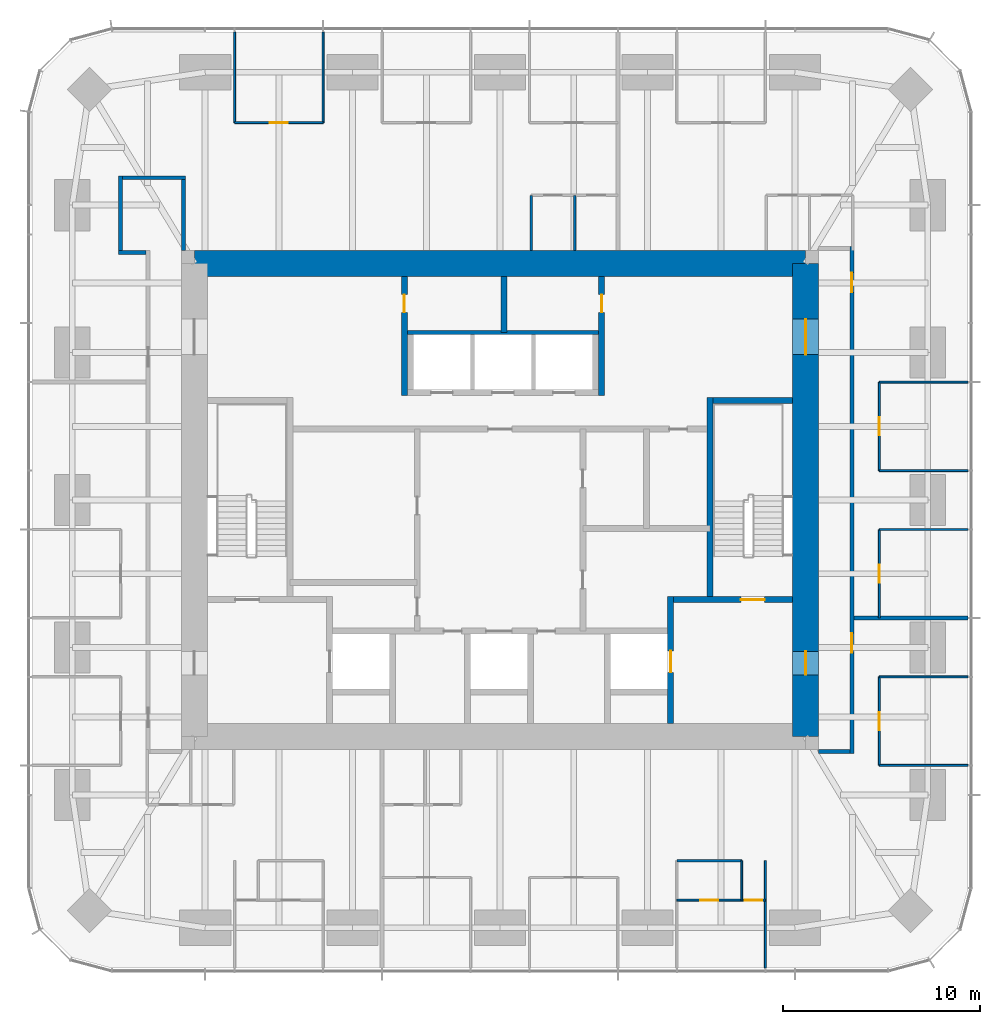
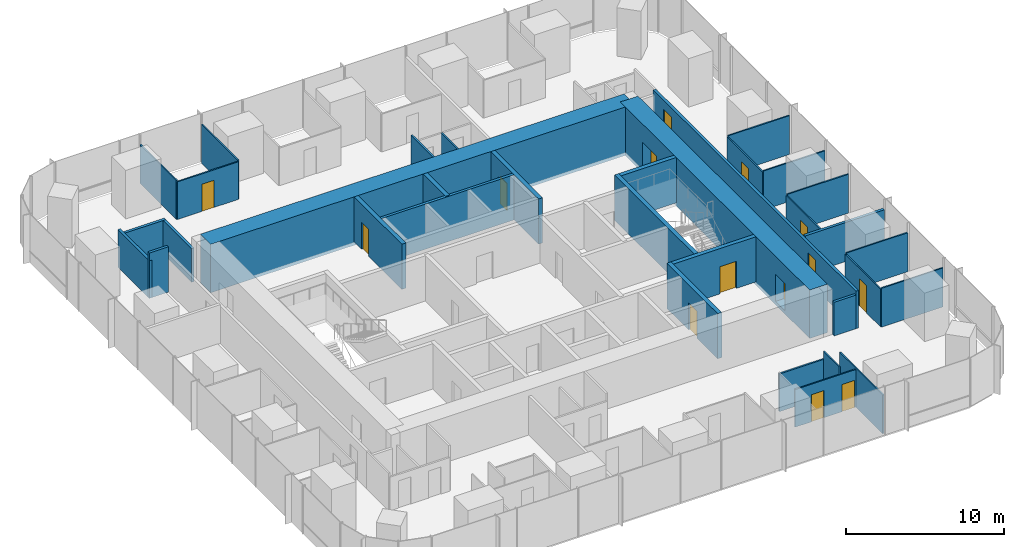
# One storey, part 10 of 12: 34 walls, 14 doors, 14 openings.
"""IFC4 building model written with IfcOpenShell, lengths in metres."""

from ifc_helpers import new_model, si_unit, direction, frame, frame_2d, origin, place, context, subcontext, project, spatial, rectangle, extrude, material, layer, layer_set, type_object, element, fill, save


model = new_model("IFC4")

# Units and contexts
model_context = context("Model", 3, precision=1e-05, world=origin(), true_north=direction((0.0, 1.0)))
body_context = subcontext(model_context, "Body", "Model", "MODEL_VIEW")
ifc_project = project(units=[si_unit("LENGTHUNIT", "METRE"), si_unit("AREAUNIT", "SQUARE_METRE"), si_unit("VOLUMEUNIT", "CUBIC_METRE"), si_unit("PLANEANGLEUNIT", "RADIAN"), si_unit("MASSUNIT", "GRAM", prefix="KILO")], contexts=[model_context])

# Site, building, storey
site_placement = place(None, origin())
site = spatial("IfcSite", under=ifc_project, at=site_placement, CompositionType="ELEMENT")
building_placement = place(site_placement, origin())
building = spatial("IfcBuilding", under=site, at=building_placement, Name="Khuree Lantern Residences", CompositionType="ELEMENT")
storey_placement = place(building_placement, frame((0.0, 0.0, 297.0)))
storey = spatial("IfcBuildingStorey", under=building, at=storey_placement, Name="L74", CompositionType="ELEMENT", Elevation=297.0)

# Walls
ifc_material_1 = material(Name="Moisture-resistant gypsum board on steel studs", Category="steel")
ifc_layer_1 = layer(ifc_material_1, 0.125)
ifc_layer_set_1 = layer_set([ifc_layer_1], Name="BATHROOM WALL BTW125")
wall_type_1 = type_object("IfcWallType", Name="BATHROOM WALL BTW125", PredefinedType="PARTITIONING", material=ifc_layer_set_1)
wall_1_placement = place(storey_placement, frame((3.783935546875, 12.64990234375, 0.0), z_axis=(0.0, 0.0, 1.0), x_axis=(0.0, 1.0, 0.0)))
element("IfcWall", 1, at=wall_1_placement, inside=storey, type_object=wall_type_1, Name="L74 BATHROOM WALL 02", PredefinedType="PARTITIONING", context=body_context, shape_type="SweptSolid", body=[
    extrude(rectangle(XDim=2.800048828125, YDim=0.125, at=frame_2d((1.39990234375, 0.0))), origin(), (0.0, 0.0, 1.0), 2.909912109375),
])
wall_2_placement = place(storey_placement, frame((1.583984375, 12.64990234375, 0.0), z_axis=(0.0, 0.0, 1.0), x_axis=(0.0, 1.0, 0.0)))
element("IfcWall", 2, at=wall_2_placement, inside=storey, type_object=wall_type_1, Name="L74 BATHROOM WALL 02", PredefinedType="PARTITIONING", context=body_context, shape_type="SweptSolid", body=[
    extrude(rectangle(XDim=2.800048828125, YDim=0.125, at=frame_2d((1.39990234375, 0.0))), origin(), (0.0, 0.0, 1.0), 3.5),
])
wall_3_placement = place(storey_placement, frame((8.97607421875, -18.29638671875, 0.0), z_axis=(0.0, 0.0, 1.0), x_axis=(1.0, 0.0, 0.0)))
element("IfcWall", 3, at=wall_3_placement, inside=storey, type_object=wall_type_1, Name="L74 BATHROOM WALL 04", PredefinedType="PARTITIONING", context=body_context, shape_type="SweptSolid", body=[
    extrude(rectangle(XDim=3.287841796875, YDim=0.125, at=frame_2d((1.64404296875, 0.0))), origin(), (0.0, 0.0, 1.0), 2.909912109375),
])

# Wall, opening, door
ifc_material_2 = material(Name="Dense concrete blockwork", Category="masonry")
ifc_layer_2 = layer(ifc_material_2, 0.300048828125)
ifc_layer_set_2 = layer_set([ifc_layer_2], Name="CORE PARTITION WALL CPW300 EI 120")
wall_type_2 = type_object("IfcWallType", Name="CORE PARTITION WALL CPW300 EI 120", PredefinedType="PARTITIONING", material=ifc_layer_set_2)
wall_4_placement = place(storey_placement, frame((8.64990234375, -11.35009765625, 0.0), z_axis=(0.0, 0.0, 1.0), x_axis=(0.0, 1.0, 0.0)))
wall_4 = element("IfcWall", 4, at=wall_4_placement, inside=storey, type_object=wall_type_2, Name="L74 CORE WALL FL2E", PredefinedType="PARTITIONING", context=body_context, shape_type="SweptSolid", body=[
    extrude(rectangle(XDim=6.4501953125, YDim=0.300048828125, at=frame_2d((3.22509765625, 0.0))), origin(), (0.0, 0.0, 1.0), 3.5),
])
opening_1_placement = place(wall_4_placement, frame((2.60009765625, 0.0, 0.0)))
opening_1 = element("IfcOpeningElement", 5, at=opening_1_placement, cuts=wall_4, Name="Opening 74-008", PredefinedType="OPENING", context=body_context, shape_type="SweptSolid", body=[
    extrude(rectangle(XDim=1.10009765625, YDim=2.10009765625, at=frame_2d((0.550048828125, 1.050048828125))), frame((0.0, 0.16015625, 0.0), z_axis=(0.0, -1.0, 0.0), x_axis=(1.0, 0.0, 0.0)), (0.0, 0.0, 1.0), 0.320068359375),
])
ifc_material_3 = material(Name="Stainless steel lift landing door", Category="steel")
door_type_1 = type_object("IfcDoorType", Name="LIFT LANDING DOOR 1100X2100 E 120", OperationType="DOUBLE_DOOR_SLIDING", PredefinedType="DOOR", material=ifc_material_3)
door_1_placement = place(opening_1_placement, origin())
door_1 = element("IfcDoor", 6, at=door_1_placement, inside=storey, type_object=door_type_1, Name="Landing door FL2 74-008", OperationType="DOUBLE_DOOR_SLIDING", OverallHeight=2.10009765625, OverallWidth=1.10009765625, PredefinedType="DOOR", context=body_context, shape_type="SweptSolid", body=[
    extrude(rectangle(XDim=1.10009765625, YDim=2.10009765625, at=frame_2d((0.550048828125, 1.050048828125))), frame((0.0, 0.02490234375, 0.0), z_axis=(0.0, -1.0, 0.0), x_axis=(1.0, 0.0, 0.0)), (0.0, 0.0, 1.0), 0.050048828125),
])
fill(opening_1, door_1)

wall_5_placement = place(storey_placement, frame((-4.85009765625, 5.300048828125, 0.0), z_axis=(0.0, 0.0, 1.0), x_axis=(0.0, 1.0, 0.0)))
wall_5 = element("IfcWall", 7, at=wall_5_placement, inside=storey, type_object=wall_type_2, Name="L74 CORE WALL NW", PredefinedType="PARTITIONING", context=body_context, shape_type="SweptSolid", body=[
    extrude(rectangle(XDim=6.050048828125, YDim=0.300048828125, at=frame_2d((3.02490234375, 0.0))), origin(), (0.0, 0.0, 1.0), 3.5),
])
opening_2_placement = place(wall_5_placement, frame((4.22509765625, 0.0, 0.0)))
opening_2 = element("IfcOpeningElement", 8, at=opening_2_placement, cuts=wall_5, Name="Opening 74-021", PredefinedType="OPENING", context=body_context, shape_type="SweptSolid", body=[
    extrude(rectangle(XDim=0.89990234375, YDim=2.10009765625, at=frame_2d((0.449951171875, 1.050048828125))), frame((0.0, 0.16015625, 0.0), z_axis=(0.0, -1.0, 0.0), x_axis=(1.0, 0.0, 0.0)), (0.0, 0.0, 1.0), 0.320068359375),
])
ifc_material_4 = material(Name="Timber door leaf in hardwood frame", Category="wood")
door_type_2 = type_object("IfcDoorType", Name="DOOR 900X2100 RIGHT HAND", OperationType="SINGLE_SWING_RIGHT", PredefinedType="DOOR", material=ifc_material_4)
door_2_placement = place(opening_2_placement, origin())
door_2 = element("IfcDoor", 9, at=door_2_placement, inside=storey, type_object=door_type_2, Name="Building management room door 74-021", OperationType="SINGLE_SWING_RIGHT", OverallHeight=2.10009765625, OverallWidth=0.89990234375, PredefinedType="DOOR", context=body_context, shape_type="SweptSolid", body=[
    extrude(rectangle(XDim=0.89990234375, YDim=2.10009765625, at=frame_2d((0.449951171875, 1.050048828125))), frame((0.0, 0.02490234375, 0.0), z_axis=(0.0, -1.0, 0.0), x_axis=(1.0, 0.0, 0.0)), (0.0, 0.0, 1.0), 0.050048828125),
])
fill(opening_2, door_2)

wall_6_placement = place(storey_placement, frame((5.14990234375, 5.300048828125, 0.0), z_axis=(0.0, 0.0, 1.0), x_axis=(0.0, 1.0, 0.0)))
wall_6 = element("IfcWall", 10, at=wall_6_placement, inside=storey, type_object=wall_type_2, Name="L74 CORE WALL NE", PredefinedType="PARTITIONING", context=body_context, shape_type="SweptSolid", body=[
    extrude(rectangle(XDim=6.050048828125, YDim=0.300048828125, at=frame_2d((3.02490234375, 0.0))), origin(), (0.0, 0.0, 1.0), 3.5),
])
opening_3_placement = place(wall_6_placement, frame((4.22509765625, 0.0, 0.0)))
opening_3 = element("IfcOpeningElement", 11, at=opening_3_placement, cuts=wall_6, Name="Opening 74-022", PredefinedType="OPENING", context=body_context, shape_type="SweptSolid", body=[
    extrude(rectangle(XDim=0.89990234375, YDim=2.10009765625, at=frame_2d((0.449951171875, 1.050048828125))), frame((0.0, 0.16015625, 0.0), z_axis=(0.0, -1.0, 0.0), x_axis=(1.0, 0.0, 0.0)), (0.0, 0.0, 1.0), 0.320068359375),
])
door_type_3 = type_object("IfcDoorType", Name="DOOR 900X2100", OperationType="SINGLE_SWING_LEFT", PredefinedType="DOOR", material=ifc_material_4)
door_3_placement = place(opening_3_placement, origin())
door_3 = element("IfcDoor", 12, at=door_3_placement, inside=storey, type_object=door_type_3, Name="Refuse holding room door 74-022", OperationType="SINGLE_SWING_LEFT", OverallHeight=2.10009765625, OverallWidth=0.89990234375, PredefinedType="DOOR", context=body_context, shape_type="SweptSolid", body=[
    extrude(rectangle(XDim=0.89990234375, YDim=2.10009765625, at=frame_2d((0.449951171875, 1.050048828125))), frame((0.0, 0.02490234375, 0.0), z_axis=(0.0, -1.0, 0.0), x_axis=(1.0, 0.0, 0.0)), (0.0, 0.0, 1.0), 0.050048828125),
])
fill(opening_3, door_3)

# Walls
wall_7_placement = place(storey_placement, frame((0.199951171875, 8.5, 0.0), z_axis=(0.0, 0.0, 1.0), x_axis=(0.0, 1.0, 0.0)))
element("IfcWall", 13, at=wall_7_placement, inside=storey, type_object=wall_type_2, Name="L74 CORE WALL NX", PredefinedType="PARTITIONING", context=body_context, shape_type="SweptSolid", body=[
    extrude(rectangle(XDim=2.85009765625, YDim=0.300048828125, at=frame_2d((1.425048828125, 0.0))), origin(), (0.0, 0.0, 1.0), 3.5),
])
ifc_material_5 = material(Name="Gypsum board on steel studs", Category="steel")
ifc_layer_3 = layer(ifc_material_5, 0.199951171875)
ifc_layer_set_3 = layer_set([ifc_layer_3], Name="CORRIDOR WALL CRW200 EI 60")
wall_type_3 = type_object("IfcWallType", Name="CORRIDOR WALL CRW200 EI 60", PredefinedType="PARTITIONING", material=ifc_layer_set_3)
wall_8_placement = place(storey_placement, frame((-17.949951171875, 12.550048828125, 0.0), z_axis=(0.0, 0.0, 1.0), x_axis=(-1.0, 0.0, 0.0)))
element("IfcWall", 14, at=wall_8_placement, inside=storey, type_object=wall_type_3, Name="L74 RESIDENTS LOUNGE WALL", PredefinedType="PARTITIONING", context=body_context, shape_type="SweptSolid", body=[
    extrude(rectangle(XDim=1.400146484375, YDim=0.199951171875, at=frame_2d((0.7001953125, 0.0))), origin(), (0.0, 0.0, 1.0), 3.5),
])
wall_9_placement = place(storey_placement, frame((-19.25, 12.449951171875, 0.0), z_axis=(0.0, 0.0, 1.0), x_axis=(0.0, 1.0, 0.0)))
element("IfcWall", 15, at=wall_9_placement, inside=storey, type_object=wall_type_3, Name="L74 RESIDENTS LOUNGE WALL", PredefinedType="PARTITIONING", context=body_context, shape_type="SweptSolid", body=[
    extrude(rectangle(XDim=4.0, YDim=0.199951171875, at=frame_2d((2.0, 0.0))), origin(), (0.0, 0.0, 1.0), 2.89990234375),
])
wall_10_placement = place(storey_placement, frame((-19.14990234375, 16.35009765625, 0.0), z_axis=(0.0, 0.0, 1.0), x_axis=(1.0, 0.0, 0.0)))
element("IfcWall", 16, at=wall_10_placement, inside=storey, type_object=wall_type_3, Name="L74 RESIDENTS LOUNGE WALL", PredefinedType="PARTITIONING", context=body_context, shape_type="SweptSolid", body=[
    extrude(rectangle(XDim=3.199951171875, YDim=0.199951171875, at=frame_2d((1.60009765625, 0.0))), origin(), (0.0, 0.0, 1.0), 2.60009765625),
])
wall_11_placement = place(storey_placement, frame((-16.050048828125, 16.449951171875, 0.0), z_axis=(0.0, 0.0, 1.0), x_axis=(0.0, -1.0, 0.0)))
element("IfcWall", 17, at=wall_11_placement, inside=storey, type_object=wall_type_3, Name="L74 RESIDENTS LOUNGE WALL", PredefinedType="PARTITIONING", context=body_context, shape_type="SweptSolid", body=[
    extrude(rectangle(XDim=3.800048828125, YDim=0.199951171875, at=frame_2d((1.89990234375, 0.0))), origin(), (0.0, 0.0, 1.0), 2.60009765625),
])
wall_12_placement = place(storey_placement, frame((16.14990234375, -12.75, 0.0), z_axis=(0.0, 0.0, 1.0), x_axis=(1.0, 0.0, 0.0)))
element("IfcWall", 18, at=wall_12_placement, inside=storey, type_object=wall_type_3, Name="L74 EAST CORRIDOR SOUTH END WALL", PredefinedType="PARTITIONING", context=body_context, shape_type="SweptSolid", body=[
    extrude(rectangle(XDim=1.60009765625, YDim=0.199951171875, at=frame_2d((0.800048828125, 0.0))), origin(), (0.0, 0.0, 1.0), 2.60009765625),
])

# Wall, openings, doors
wall_13_placement = place(storey_placement, frame((17.85009765625, -12.85009765625, 0.0), z_axis=(0.0, 0.0, 1.0), x_axis=(0.0, 1.0, 0.0)))
wall_13 = element("IfcWall", 19, at=wall_13_placement, inside=storey, type_object=wall_type_3, Name="L74 CORRIDOR WALL EAST 1", PredefinedType="PARTITIONING", context=body_context, shape_type="SweptSolid", body=[
    extrude(rectangle(XDim=25.7001953125, YDim=0.199951171875, at=frame_2d((12.85009765625, 0.0))), origin(), (0.0, 0.0, 1.0), 2.89990234375),
])
opening_4_placement = place(wall_13_placement, frame((23.385986328125, 0.0, 0.0)))
opening_4 = element("IfcOpeningElement", 20, at=opening_4_placement, cuts=wall_13, Name="Opening 74-028", PredefinedType="OPENING", context=body_context, shape_type="SweptSolid", body=[
    extrude(rectangle(XDim=1.0, YDim=2.199951171875, at=frame_2d((0.5, 1.10009765625))), frame((0.0, 0.10986328125, 0.0), z_axis=(0.0, -1.0, 0.0), x_axis=(1.0, 0.0, 0.0)), (0.0, 0.0, 1.0), 0.219970703125),
])
opening_5_placement = place(wall_13_placement, frame((5.10009765625, 0.0, 0.0)))
opening_5 = element("IfcOpeningElement", 21, at=opening_5_placement, cuts=wall_13, Name="Opening 74-049", PredefinedType="OPENING", context=body_context, shape_type="SweptSolid", body=[
    extrude(rectangle(XDim=1.0, YDim=2.199951171875, at=frame_2d((0.5, 1.10009765625))), frame((0.0, 0.10986328125, 0.0), z_axis=(0.0, -1.0, 0.0), x_axis=(1.0, 0.0, 0.0)), (0.0, 0.0, 1.0), 0.219970703125),
])
door_type_4 = type_object("IfcDoorType", Name="APARTMENT ENTRANCE DOOR 1000X2200 EI 30S", OperationType="SINGLE_SWING_LEFT", PredefinedType="DOOR", material=ifc_material_4)
door_4_placement = place(opening_5_placement, origin())
door_4 = element("IfcDoor", 22, at=door_4_placement, inside=storey, type_object=door_type_4, Name="Apartment 04 entrance door 74-049", OperationType="SINGLE_SWING_LEFT", OverallHeight=2.199951171875, OverallWidth=1.0, PredefinedType="DOOR", context=body_context, shape_type="SweptSolid", body=[
    extrude(rectangle(XDim=1.0, YDim=2.199951171875, at=frame_2d((0.5, 1.10009765625))), frame((0.0, 0.02490234375, 0.0), z_axis=(0.0, -1.0, 0.0), x_axis=(1.0, 0.0, 0.0)), (0.0, 0.0, 1.0), 0.050048828125),
])
fill(opening_5, door_4)
door_type_5 = type_object("IfcDoorType", Name="APARTMENT ENTRANCE DOOR 1000X2200 EI 30S RIGHT HAND", OperationType="SINGLE_SWING_RIGHT", PredefinedType="DOOR", material=ifc_material_4)
door_5_placement = place(opening_4_placement, origin())
door_5 = element("IfcDoor", 23, at=door_5_placement, inside=storey, type_object=door_type_5, Name="Apartment 01 entrance door 74-028", OperationType="SINGLE_SWING_RIGHT", OverallHeight=2.199951171875, OverallWidth=1.0, PredefinedType="DOOR", context=body_context, shape_type="SweptSolid", body=[
    extrude(rectangle(XDim=1.0, YDim=2.199951171875, at=frame_2d((0.5, 1.10009765625))), frame((0.0, 0.02490234375, 0.0), z_axis=(0.0, -1.0, 0.0), x_axis=(1.0, 0.0, 0.0)), (0.0, 0.0, 1.0), 0.050048828125),
])
fill(opening_4, door_5)

ifc_material_6 = material(Name="Concrete C50/60", Category="concrete")
ifc_layer_4 = layer(ifc_material_6, 1.300048828125)
ifc_layer_set_4 = layer_set([ifc_layer_4], Name="CW1300-C50 CORE WALL C50 1300")
wall_type_4 = type_object("IfcWallType", Name="CW1300-C50 CORE WALL C50 1300", PredefinedType="SHEAR", material=ifc_layer_set_4)
wall_14_placement = place(storey_placement, frame((15.5, -12.0, -0.25), z_axis=(0.0, 0.0, 1.0), x_axis=(0.0, 1.0, 0.0)))
wall_14 = element("IfcWall", 24, at=wall_14_placement, inside=storey, type_object=wall_type_4, Name="Core wall E", PredefinedType="SHEAR", context=body_context, shape_type="SweptSolid", body=[
    extrude(rectangle(XDim=24.0, YDim=1.300048828125, at=frame_2d((12.0, 0.0))), origin(), (0.0, 0.0, 1.0), 3.75),
])
opening_6_placement = place(wall_14_placement, frame((3.125, 0.0, 0.25)))
opening_6 = element("IfcOpeningElement", 25, at=opening_6_placement, cuts=wall_14, Name="Opening 74-005", PredefinedType="OPENING", context=body_context, shape_type="SweptSolid", body=[
    extrude(rectangle(XDim=1.199951171875, YDim=2.10009765625, at=frame_2d((0.60009765625, 1.050048828125))), frame((0.0, 0.66015625, 0.0), z_axis=(0.0, -1.0, 0.0), x_axis=(1.0, 0.0, 0.0)), (0.0, 0.0, 1.0), 1.320068359375),
])
opening_7_placement = place(wall_14_placement, frame((19.375, 0.0, 0.25)))
opening_7 = element("IfcOpeningElement", 26, at=opening_7_placement, cuts=wall_14, Name="Opening 74-006", PredefinedType="OPENING", context=body_context, shape_type="SweptSolid", body=[
    extrude(rectangle(XDim=1.800048828125, YDim=2.10009765625, at=frame_2d((0.89990234375, 1.050048828125))), frame((0.0, 0.66015625, 0.0), z_axis=(0.0, -1.0, 0.0), x_axis=(1.0, 0.0, 0.0)), (0.0, 0.0, 1.0), 1.320068359375),
])
ifc_material_7 = material(Name="Steel door leaf in steel frame", Category="steel")
door_type_6 = type_object("IfcDoorType", Name="LOBBY DOOR 1200X2100 EI 120", OperationType="SINGLE_SWING_LEFT", PredefinedType="DOOR", material=ifc_material_7)
door_6_placement = place(opening_6_placement, origin())
door_6 = element("IfcDoor", 27, at=door_6_placement, inside=storey, type_object=door_type_6, Name="Firefighting lobby door 74-005", OperationType="SINGLE_SWING_LEFT", OverallHeight=2.10009765625, OverallWidth=1.199951171875, PredefinedType="DOOR", context=body_context, shape_type="SweptSolid", body=[
    extrude(rectangle(XDim=1.199951171875, YDim=2.10009765625, at=frame_2d((0.60009765625, 1.050048828125))), frame((0.0, 0.02490234375, 0.0), z_axis=(0.0, -1.0, 0.0), x_axis=(1.0, 0.0, 0.0)), (0.0, 0.0, 1.0), 0.050048828125),
])
fill(opening_6, door_6)
door_type_7 = type_object("IfcDoorType", Name="LOBBY DOUBLE DOOR 1800X2100 EI 60", OperationType="DOUBLE_DOOR_SINGLE_SWING", PredefinedType="DOOR", material=ifc_material_7)
door_7_placement = place(opening_7_placement, origin())
door_7 = element("IfcDoor", 28, at=door_7_placement, inside=storey, type_object=door_type_7, Name="Lift lobby door 74-006", OperationType="DOUBLE_DOOR_SINGLE_SWING", OverallHeight=2.10009765625, OverallWidth=1.800048828125, PredefinedType="DOOR", context=body_context, shape_type="SweptSolid", body=[
    extrude(rectangle(XDim=1.800048828125, YDim=2.10009765625, at=frame_2d((0.89990234375, 1.050048828125))), frame((0.0, 0.02490234375, 0.0), z_axis=(0.0, -1.0, 0.0), x_axis=(1.0, 0.0, 0.0)), (0.0, 0.0, 1.0), 0.050048828125),
])
fill(opening_7, door_7)

# Walls
wall_15_placement = place(storey_placement, frame((-15.5, 12.0, -0.25), z_axis=(0.0, 0.0, 1.0), x_axis=(1.0, 0.0, 0.0)))
element("IfcWall", 29, at=wall_15_placement, inside=storey, type_object=wall_type_4, Name="Core wall N", PredefinedType="SHEAR", context=body_context, shape_type="SweptSolid", body=[
    extrude(rectangle(XDim=31.0, YDim=1.300048828125, at=frame_2d((15.5, 0.0))), origin(), (0.0, 0.0, 1.0), 3.75),
])
ifc_layer_5 = layer(ifc_material_5, 0.199951171875)
ifc_layer_set_5 = layer_set([ifc_layer_5], Name="DEMISING WALL DMW200 EI 90")
wall_type_5 = type_object("IfcWallType", Name="DEMISING WALL DMW200 EI 90", PredefinedType="PARTITIONING", material=ifc_layer_set_5)
wall_16_placement = place(storey_placement, frame((17.949951171875, -5.98388671875, 0.0), z_axis=(0.0, 0.0, 1.0), x_axis=(1.0, 0.0, 0.0)))
element("IfcWall", 30, at=wall_16_placement, inside=storey, type_object=wall_type_5, Name="L74 DEMISING WALL 01", PredefinedType="PARTITIONING", context=body_context, shape_type="SweptSolid", body=[
    extrude(rectangle(XDim=5.800048828125, YDim=0.199951171875, at=frame_2d((2.89990234375, 0.0))), origin(), (0.0, 0.0, 1.0), 3.010009765625),
])
ifc_layer_6 = layer(ifc_material_5, 0.10009765625)
ifc_layer_set_6 = layer_set([ifc_layer_6], Name="PARTITION PT100")
wall_type_6 = type_object("IfcWallType", Name="PARTITION PT100", PredefinedType="PARTITIONING", material=ifc_layer_set_6)
for number, where, z_axis, x_axis, name in (
    (31, (19.25, -1.49609375, 0.0), (0.0, 0.0, 1.0), (1.0, 0.0, 0.0), "L74 PARTITION 01"),
    (32, (19.25, 1.49609375, 0.0), (0.0, 0.0, 1.0), (1.0, 0.0, 0.0), "L74 PARTITION 01"),
    (33, (19.25, 5.98388671875, 0.0), (0.0, 0.0, 1.0), (1.0, 0.0, 0.0), "L74 PARTITION 01"),
):
    element("IfcWall", number, at=place(storey_placement, frame(where, z_axis=z_axis, x_axis=x_axis)), inside=storey, type_object=wall_type_6, Name=name, PredefinedType="PARTITIONING", context=body_context, shape_type="SweptSolid", body=[
        extrude(rectangle(XDim=4.5, YDim=0.10009765625, at=frame_2d((2.25, 0.0))), origin(), (0.0, 0.0, 1.0), 3.010009765625),
    ])
for number, where, z_axis, x_axis, name in (
    (34, (-8.97607421875, 19.14990234375, 0.0), (0.0, 0.0, 1.0), (0.0, 1.0, 0.0), "L74 PARTITION 02"),
    (35, (-13.464111328125, 19.14990234375, 0.0), (0.0, 0.0, 1.0), (0.0, 1.0, 0.0), "L74 PARTITION 02"),
):
    element("IfcWall", number, at=place(storey_placement, frame(where, z_axis=z_axis, x_axis=x_axis)), inside=storey, type_object=wall_type_6, Name=name, PredefinedType="PARTITIONING", context=body_context, shape_type="SweptSolid", body=[
        extrude(rectangle(XDim=4.60009765625, YDim=0.10009765625, at=frame_2d((2.300048828125, 0.0))), origin(), (0.0, 0.0, 1.0), 3.010009765625),
    ])
wall_17_placement = place(storey_placement, frame((13.464111328125, -18.29638671875, 0.0), z_axis=(0.0, 0.0, 1.0), x_axis=(0.0, -1.0, 0.0)))
element("IfcWall", 36, at=wall_17_placement, inside=storey, type_object=wall_type_6, Name="L74 PARTITION 04", PredefinedType="PARTITIONING", context=body_context, shape_type="SweptSolid", body=[
    extrude(rectangle(XDim=5.45361328125, YDim=0.10009765625, at=frame_2d((2.726806640625, 0.0))), origin(), (0.0, 0.0, 1.0), 3.010009765625),
])
for number, where, z_axis, x_axis, name in (
    (37, (19.25, -13.464111328125, 0.0), (0.0, 0.0, 1.0), (1.0, 0.0, 0.0), "L74 PARTITION 04"),
    (38, (19.25, -8.97607421875, 0.0), (0.0, 0.0, 1.0), (1.0, 0.0, 0.0), "L74 PARTITION 04"),
):
    element("IfcWall", number, at=place(storey_placement, frame(where, z_axis=z_axis, x_axis=x_axis)), inside=storey, type_object=wall_type_6, Name=name, PredefinedType="PARTITIONING", context=body_context, shape_type="SweptSolid", body=[
        extrude(rectangle(XDim=4.5, YDim=0.10009765625, at=frame_2d((2.25, 0.0))), origin(), (0.0, 0.0, 1.0), 3.010009765625),
    ])

# Wall, opening, door
wall_18_placement = place(storey_placement, frame((19.25, -5.98388671875, 0.0), z_axis=(0.0, 0.0, 1.0), x_axis=(0.0, 1.0, 0.0)))
wall_18 = element("IfcWall", 39, at=wall_18_placement, inside=storey, type_object=wall_type_6, Name="L74 PARTITION 01", PredefinedType="PARTITIONING", context=body_context, shape_type="SweptSolid", body=[
    extrude(rectangle(XDim=4.48779296875, YDim=0.10009765625, at=frame_2d((2.243896484375, 0.0))), origin(), (0.0, 0.0, 1.0), 2.909912109375),
])
opening_8_placement = place(wall_18_placement, frame((1.7939453125, 0.0, 0.0)))
opening_8 = element("IfcOpeningElement", 40, at=opening_8_placement, cuts=wall_18, Name="Opening 74-023", PredefinedType="OPENING", context=body_context, shape_type="SweptSolid", body=[
    extrude(rectangle(XDim=0.89990234375, YDim=2.10009765625, at=frame_2d((0.449951171875, 1.050048828125))), frame((0.0, 0.06005859375, 0.0), z_axis=(0.0, -1.0, 0.0), x_axis=(1.0, 0.0, 0.0)), (0.0, 0.0, 1.0), 0.1201171875),
])
door_type_8 = type_object("IfcDoorType", Name="BEDROOM DOOR 900X2100", OperationType="SINGLE_SWING_LEFT", PredefinedType="DOOR", material=ifc_material_4)
door_8_placement = place(opening_8_placement, origin())
door_8 = element("IfcDoor", 41, at=door_8_placement, inside=storey, type_object=door_type_8, Name="Bedroom door 74-023", OperationType="SINGLE_SWING_LEFT", OverallHeight=2.10009765625, OverallWidth=0.89990234375, PredefinedType="DOOR", context=body_context, shape_type="SweptSolid", body=[
    extrude(rectangle(XDim=0.89990234375, YDim=2.10009765625, at=frame_2d((0.449951171875, 1.050048828125))), frame((0.0, 0.02490234375, 0.0), z_axis=(0.0, -1.0, 0.0), x_axis=(1.0, 0.0, 0.0)), (0.0, 0.0, 1.0), 0.050048828125),
])
fill(opening_8, door_8)

wall_19_placement = place(storey_placement, frame((19.25, 1.49609375, 0.0), z_axis=(0.0, 0.0, 1.0), x_axis=(0.0, 1.0, 0.0)))
wall_19 = element("IfcWall", 42, at=wall_19_placement, inside=storey, type_object=wall_type_6, Name="L74 PARTITION 01", PredefinedType="PARTITIONING", context=body_context, shape_type="SweptSolid", body=[
    extrude(rectangle(XDim=4.48779296875, YDim=0.10009765625, at=frame_2d((2.243896484375, 0.0))), origin(), (0.0, 0.0, 1.0), 2.909912109375),
])
opening_9_placement = place(wall_19_placement, frame((1.7939453125, 0.0, 0.0)))
opening_9 = element("IfcOpeningElement", 43, at=opening_9_placement, cuts=wall_19, Name="Opening 74-024", PredefinedType="OPENING", context=body_context, shape_type="SweptSolid", body=[
    extrude(rectangle(XDim=0.89990234375, YDim=2.10009765625, at=frame_2d((0.449951171875, 1.050048828125))), frame((0.0, 0.06005859375, 0.0), z_axis=(0.0, -1.0, 0.0), x_axis=(1.0, 0.0, 0.0)), (0.0, 0.0, 1.0), 0.1201171875),
])
door_9_placement = place(opening_9_placement, origin())
door_9 = element("IfcDoor", 44, at=door_9_placement, inside=storey, type_object=door_type_8, Name="Bedroom door 74-024", OperationType="SINGLE_SWING_LEFT", OverallHeight=2.10009765625, OverallWidth=0.89990234375, PredefinedType="DOOR", context=body_context, shape_type="SweptSolid", body=[
    extrude(rectangle(XDim=0.89990234375, YDim=2.10009765625, at=frame_2d((0.449951171875, 1.050048828125))), frame((0.0, 0.02490234375, 0.0), z_axis=(0.0, -1.0, 0.0), x_axis=(1.0, 0.0, 0.0)), (0.0, 0.0, 1.0), 0.050048828125),
])
fill(opening_9, door_9)

wall_20_placement = place(storey_placement, frame((-8.97607421875, 19.14990234375, 0.0), z_axis=(0.0, 0.0, 1.0), x_axis=(-1.0, 0.0, 0.0)))
wall_20 = element("IfcWall", 45, at=wall_20_placement, inside=storey, type_object=wall_type_6, Name="L74 PARTITION 02", PredefinedType="PARTITIONING", context=body_context, shape_type="SweptSolid", body=[
    extrude(rectangle(XDim=4.488037109375, YDim=0.10009765625, at=frame_2d((2.244140625, 0.0))), origin(), (0.0, 0.0, 1.0), 2.909912109375),
])
opening_10_placement = place(wall_20_placement, frame((1.7939453125, 0.0, 0.0)))
opening_10 = element("IfcOpeningElement", 46, at=opening_10_placement, cuts=wall_20, Name="Opening 74-031", PredefinedType="OPENING", context=body_context, shape_type="SweptSolid", body=[
    extrude(rectangle(XDim=0.89990234375, YDim=2.10009765625, at=frame_2d((0.449951171875, 1.050048828125))), frame((0.0, 0.06005859375, 0.0), z_axis=(0.0, -1.0, 0.0), x_axis=(1.0, 0.0, 0.0)), (0.0, 0.0, 1.0), 0.1201171875),
])
door_10_placement = place(opening_10_placement, origin())
door_10 = element("IfcDoor", 47, at=door_10_placement, inside=storey, type_object=door_type_8, Name="Bedroom door 74-031", OperationType="SINGLE_SWING_LEFT", OverallHeight=2.10009765625, OverallWidth=0.89990234375, PredefinedType="DOOR", context=body_context, shape_type="SweptSolid", body=[
    extrude(rectangle(XDim=0.89990234375, YDim=2.10009765625, at=frame_2d((0.449951171875, 1.050048828125))), frame((0.0, 0.02490234375, 0.0), z_axis=(0.0, -1.0, 0.0), x_axis=(1.0, 0.0, 0.0)), (0.0, 0.0, 1.0), 0.050048828125),
])
fill(opening_10, door_10)

# Wall, openings, doors
wall_21_placement = place(storey_placement, frame((8.97607421875, -20.29638671875, 0.0), z_axis=(0.0, 0.0, 1.0), x_axis=(1.0, 0.0, 0.0)))
wall_21 = element("IfcWall", 48, at=wall_21_placement, inside=storey, type_object=wall_type_6, Name="L74 PARTITION 04", PredefinedType="PARTITIONING", context=body_context, shape_type="SweptSolid", body=[
    extrude(rectangle(XDim=4.488037109375, YDim=0.10009765625, at=frame_2d((2.244140625, 0.0))), origin(), (0.0, 0.0, 1.0), 2.909912109375),
])
opening_11_placement = place(wall_21_placement, frame((3.43798828125, 0.0, 0.0)))
opening_11 = element("IfcOpeningElement", 49, at=opening_11_placement, cuts=wall_21, Name="Opening 74-044", PredefinedType="OPENING", context=body_context, shape_type="SweptSolid", body=[
    extrude(rectangle(XDim=0.89990234375, YDim=2.10009765625, at=frame_2d((0.449951171875, 1.050048828125))), frame((0.0, 0.06005859375, 0.0), z_axis=(0.0, -1.0, 0.0), x_axis=(1.0, 0.0, 0.0)), (0.0, 0.0, 1.0), 0.1201171875),
])
opening_12_placement = place(wall_21_placement, frame((1.194091796875, 0.0, 0.0)))
opening_12 = element("IfcOpeningElement", 50, at=opening_12_placement, cuts=wall_21, Name="Opening 74-045", PredefinedType="OPENING", context=body_context, shape_type="SweptSolid", body=[
    extrude(rectangle(XDim=0.89990234375, YDim=2.10009765625, at=frame_2d((0.449951171875, 1.050048828125))), frame((0.0, 0.06005859375, 0.0), z_axis=(0.0, -1.0, 0.0), x_axis=(1.0, 0.0, 0.0)), (0.0, 0.0, 1.0), 0.1201171875),
])
door_type_9 = type_object("IfcDoorType", Name="BATHROOM DOOR 900X2100", OperationType="SINGLE_SWING_LEFT", PredefinedType="DOOR", material=ifc_material_4)
door_11_placement = place(opening_12_placement, origin())
door_11 = element("IfcDoor", 51, at=door_11_placement, inside=storey, type_object=door_type_9, Name="Bathroom door 74-045", OperationType="SINGLE_SWING_LEFT", OverallHeight=2.10009765625, OverallWidth=0.89990234375, PredefinedType="DOOR", context=body_context, shape_type="SweptSolid", body=[
    extrude(rectangle(XDim=0.89990234375, YDim=2.10009765625, at=frame_2d((0.449951171875, 1.050048828125))), frame((0.0, 0.02490234375, 0.0), z_axis=(0.0, -1.0, 0.0), x_axis=(1.0, 0.0, 0.0)), (0.0, 0.0, 1.0), 0.050048828125),
])
fill(opening_12, door_11)
door_12_placement = place(opening_11_placement, origin())
door_12 = element("IfcDoor", 52, at=door_12_placement, inside=storey, type_object=door_type_8, Name="Bedroom door 74-044", OperationType="SINGLE_SWING_LEFT", OverallHeight=2.10009765625, OverallWidth=0.89990234375, PredefinedType="DOOR", context=body_context, shape_type="SweptSolid", body=[
    extrude(rectangle(XDim=0.89990234375, YDim=2.10009765625, at=frame_2d((0.449951171875, 1.050048828125))), frame((0.0, 0.02490234375, 0.0), z_axis=(0.0, -1.0, 0.0), x_axis=(1.0, 0.0, 0.0)), (0.0, 0.0, 1.0), 0.050048828125),
])
fill(opening_11, door_12)

# Wall
wall_22_placement = place(storey_placement, frame((12.263916015625, -18.29638671875, 0.0), z_axis=(0.0, 0.0, 1.0), x_axis=(0.0, -1.0, 0.0)))
element("IfcWall", 53, at=wall_22_placement, inside=storey, type_object=wall_type_6, Name="L74 PARTITION 04", PredefinedType="PARTITIONING", context=body_context, shape_type="SweptSolid", body=[
    extrude(rectangle(XDim=2.0, YDim=0.10009765625, at=frame_2d((1.0, 0.0))), origin(), (0.0, 0.0, 1.0), 3.5),
])

# Wall, opening, door
wall_23_placement = place(storey_placement, frame((19.25, -13.464111328125, 0.0), z_axis=(0.0, 0.0, 1.0), x_axis=(0.0, 1.0, 0.0)))
wall_23 = element("IfcWall", 54, at=wall_23_placement, inside=storey, type_object=wall_type_6, Name="L74 PARTITION 04", PredefinedType="PARTITIONING", context=body_context, shape_type="SweptSolid", body=[
    extrude(rectangle(XDim=4.488037109375, YDim=0.10009765625, at=frame_2d((2.244140625, 0.0))), origin(), (0.0, 0.0, 1.0), 2.909912109375),
])
opening_13_placement = place(wall_23_placement, frame((1.7939453125, 0.0, 0.0)))
opening_13 = element("IfcOpeningElement", 55, at=opening_13_placement, cuts=wall_23, Name="Opening 74-046", PredefinedType="OPENING", context=body_context, shape_type="SweptSolid", body=[
    extrude(rectangle(XDim=0.89990234375, YDim=2.10009765625, at=frame_2d((0.449951171875, 1.050048828125))), frame((0.0, 0.06005859375, 0.0), z_axis=(0.0, -1.0, 0.0), x_axis=(1.0, 0.0, 0.0)), (0.0, 0.0, 1.0), 0.1201171875),
])
door_13_placement = place(opening_13_placement, origin())
door_13 = element("IfcDoor", 56, at=door_13_placement, inside=storey, type_object=door_type_8, Name="Bedroom door 74-046", OperationType="SINGLE_SWING_LEFT", OverallHeight=2.10009765625, OverallWidth=0.89990234375, PredefinedType="DOOR", context=body_context, shape_type="SweptSolid", body=[
    extrude(rectangle(XDim=0.89990234375, YDim=2.10009765625, at=frame_2d((0.449951171875, 1.050048828125))), frame((0.0, 0.02490234375, 0.0), z_axis=(0.0, -1.0, 0.0), x_axis=(1.0, 0.0, 0.0)), (0.0, 0.0, 1.0), 0.050048828125),
])
fill(opening_13, door_13)

# Walls
ifc_layer_7 = layer(ifc_material_2, 0.199951171875)
ifc_layer_set_7 = layer_set([ifc_layer_7], Name="SHAFT WALL SHW200 EI 120")
wall_type_7 = type_object("IfcWallType", Name="SHAFT WALL SHW200 EI 120", PredefinedType="PARTITIONING", material=ifc_layer_set_7)
wall_24_placement = place(storey_placement, frame((-4.699951171875, 8.5, 0.0), z_axis=(0.0, 0.0, 1.0), x_axis=(1.0, 0.0, 0.0)))
element("IfcWall", 57, at=wall_24_placement, inside=storey, type_object=wall_type_7, Name="L74 CORE WALL PHN", PredefinedType="PARTITIONING", context=body_context, shape_type="SweptSolid", body=[
    extrude(rectangle(XDim=9.699951171875, YDim=0.199951171875, at=frame_2d((4.85009765625, 0.0))), origin(), (0.0, 0.0, 1.0), 3.5),
])
ifc_layer_8 = layer(ifc_material_6, 0.300048828125)
ifc_layer_set_8 = layer_set([ifc_layer_8], Name="STAIR WALL SRW300 C50/60 REI 240")
wall_type_8 = type_object("IfcWallType", Name="STAIR WALL SRW300 C50/60 REI 240", PredefinedType="SOLIDWALL", material=ifc_layer_set_8)
wall_25_placement = place(storey_placement, frame((10.64990234375, -4.89990234375, 0.0), z_axis=(0.0, 0.0, 1.0), x_axis=(0.0, 1.0, 0.0)))
element("IfcWall", 58, at=wall_25_placement, inside=storey, type_object=wall_type_8, Name="L74 STAIR WALL ST2E", PredefinedType="SOLIDWALL", context=body_context, shape_type="SweptSolid", body=[
    extrude(rectangle(XDim=10.099853515625, YDim=0.300048828125, at=frame_2d((5.0498046875, 0.0))), origin(), (0.0, 0.0, 1.0), 3.5),
])

# Wall, opening, door
wall_26_placement = place(storey_placement, frame((14.85009765625, -5.050048828125, 0.0), z_axis=(0.0, 0.0, 1.0), x_axis=(-1.0, 0.0, 0.0)))
wall_26 = element("IfcWall", 59, at=wall_26_placement, inside=storey, type_object=wall_type_8, Name="L74 STAIR WALL ST2S", PredefinedType="SOLIDWALL", context=body_context, shape_type="SweptSolid", body=[
    extrude(rectangle(XDim=6.050048828125, YDim=0.300048828125, at=frame_2d((3.02490234375, 0.0))), origin(), (0.0, 0.0, 1.0), 3.5),
])
opening_14_placement = place(wall_26_placement, frame((1.425048828125, 0.0, 0.0)))
opening_14 = element("IfcOpeningElement", 60, at=opening_14_placement, cuts=wall_26, Name="Opening 74-004", PredefinedType="OPENING", context=body_context, shape_type="SweptSolid", body=[
    extrude(rectangle(XDim=1.199951171875, YDim=2.10009765625, at=frame_2d((0.60009765625, 1.050048828125))), frame((0.0, 0.16015625, 0.0), z_axis=(0.0, -1.0, 0.0), x_axis=(1.0, 0.0, 0.0)), (0.0, 0.0, 1.0), 0.320068359375),
])
door_type_10 = type_object("IfcDoorType", Name="STAIR DOOR 1200X2100 EI 120", OperationType="SINGLE_SWING_LEFT", PredefinedType="DOOR", material=ifc_material_7)
door_14_placement = place(opening_14_placement, origin())
door_14 = element("IfcDoor", 61, at=door_14_placement, inside=storey, type_object=door_type_10, Name="Stair ST2 door 74-004", OperationType="SINGLE_SWING_LEFT", OverallHeight=2.10009765625, OverallWidth=1.199951171875, PredefinedType="DOOR", context=body_context, shape_type="SweptSolid", body=[
    extrude(rectangle(XDim=1.199951171875, YDim=2.10009765625, at=frame_2d((0.60009765625, 1.050048828125))), frame((0.0, 0.02490234375, 0.0), z_axis=(0.0, -1.0, 0.0), x_axis=(1.0, 0.0, 0.0)), (0.0, 0.0, 1.0), 0.050048828125),
])
fill(opening_14, door_14)

# Wall
wall_27_placement = place(storey_placement, frame((14.85009765625, 5.050048828125, 0.0), z_axis=(0.0, 0.0, 1.0), x_axis=(-1.0, 0.0, 0.0)))
element("IfcWall", 62, at=wall_27_placement, inside=storey, type_object=wall_type_8, Name="L74 STAIR WALL ST2N", PredefinedType="SOLIDWALL", context=body_context, shape_type="SweptSolid", body=[
    extrude(rectangle(XDim=4.050048828125, YDim=0.300048828125, at=frame_2d((2.02490234375, 0.0))), origin(), (0.0, 0.0, 1.0), 3.5),
])

save(model, "model.ifc")
